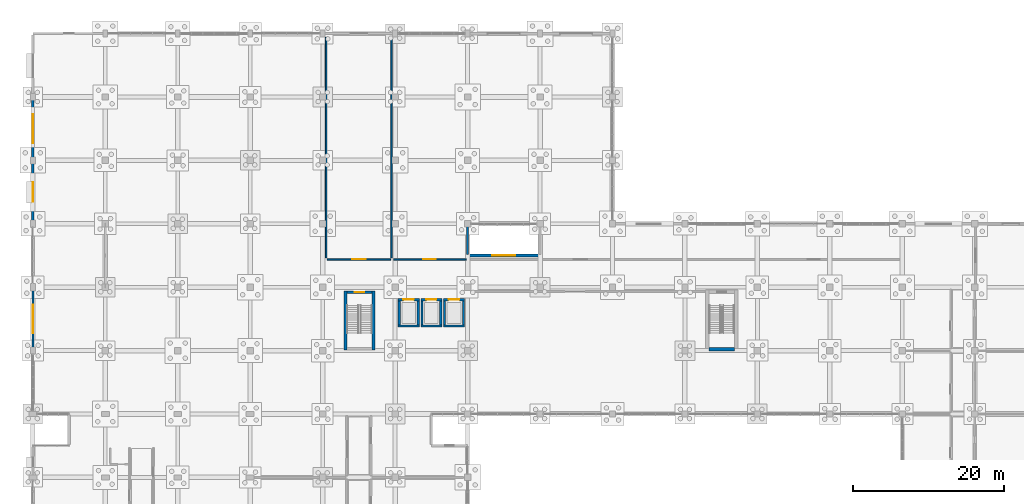
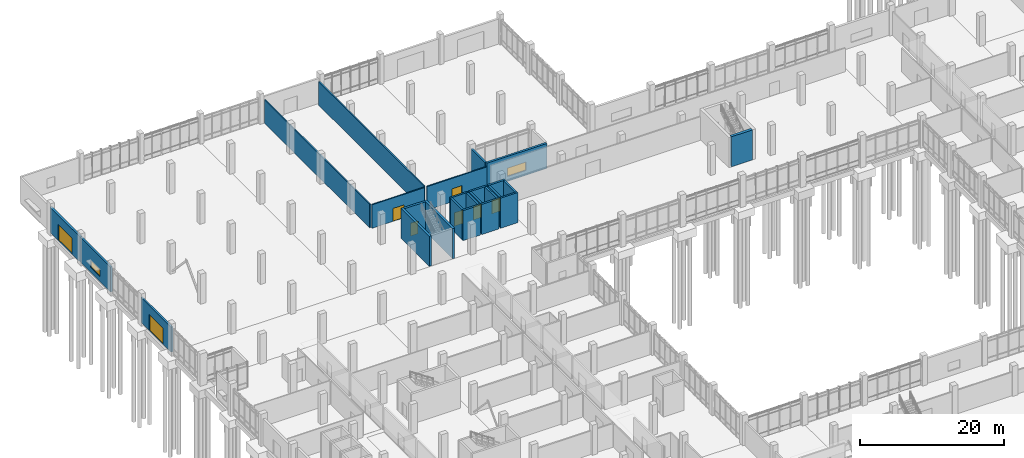
# One storey, part 108 of 136: 25 walls, 8 doors, 2 windows, 10 openings.
"""IFC4 building model written with IfcOpenShell, lengths in metres."""

from ifc_helpers import new_model, si_unit, direction, frame, frame_2d, origin, place, context, subcontext, project, spatial, rectangle, extrude, material, layer, layer_set, type_object, element, fill, save


model = new_model("IFC4")

# Units and contexts
model_context = context("Model", 3, precision=1e-05, world=origin(), true_north=direction((0.0, 1.0)))
body_context = subcontext(model_context, "Body", "Model", "MODEL_VIEW")
ifc_project = project(units=[si_unit("LENGTHUNIT", "METRE"), si_unit("AREAUNIT", "SQUARE_METRE"), si_unit("VOLUMEUNIT", "CUBIC_METRE"), si_unit("PLANEANGLEUNIT", "RADIAN"), si_unit("MASSUNIT", "GRAM", prefix="KILO")], contexts=[model_context])

# Site, building, storey
site_placement = place(None, origin())
site = spatial("IfcSite", under=ifc_project, at=site_placement, CompositionType="ELEMENT")
building_placement = place(site_placement, origin())
building = spatial("IfcBuilding", under=site, at=building_placement, Name="Oolite Switchyard Hospital", CompositionType="ELEMENT")
storey_placement = place(building_placement, origin())
storey = spatial("IfcBuildingStorey", under=building, at=storey_placement, Name="L00", CompositionType="ELEMENT", Elevation=0.0)

# Wall, opening, door
ifc_material_1 = material(Name="Precast oolitic limestone architectural concrete C40/50", Category="masonry")
ifc_layer_1 = layer(ifc_material_1, 0.280029296875)
ifc_layer_set_1 = layer_set([ifc_layer_1], Name="WAL-EXT-280")
wall_type_1 = type_object("IfcWallType", Name="WAL-EXT-280", PredefinedType="SOLIDWALL", material=ifc_layer_set_1)
wall_1_placement = place(storey_placement, frame((0.0, 92.39990234375, 0.0), z_axis=(0.0, 0.0, 1.0), x_axis=(0.0, 1.0, 0.0)))
wall_1 = element("IfcWall", 1, at=wall_1_placement, inside=storey, type_object=wall_type_1, Name="L00 Exterior Spandrel Wall 50", PredefinedType="SOLIDWALL", context=body_context, shape_type="SweptSolid", body=[
    extrude(rectangle(XDim=8.400146484375, YDim=0.280029296875, at=frame_2d((4.2001953125, 0.0))), origin(), (0.0, 0.0, 1.0), 4.239990234375),
])
opening_1_placement = place(wall_1_placement, frame((2.300048828125, 0.0, 0.0)))
opening_1 = element("IfcOpeningElement", 2, at=opening_1_placement, cuts=wall_1, Name="Opening GT-04", PredefinedType="OPENING", context=body_context, shape_type="SweptSolid", body=[
    extrude(rectangle(XDim=3.800048828125, YDim=2.699951171875, at=frame_2d((1.89990234375, 1.35009765625))), frame((0.0, 0.14990234375, 0.0), z_axis=(0.0, -1.0, 0.0), x_axis=(1.0, 0.0, 0.0)), (0.0, 0.0, 1.0), 0.300048828125),
])
ifc_material_2 = material(Name="Galvanized powder-coated structural steel gate assembly", Category="steel")
door_type_1 = type_object("IfcDoorType", Name="GT-PRK-380X270", OperationType="NOTDEFINED", PredefinedType="GATE", material=ifc_material_2)
door_1_placement = place(opening_1_placement, origin())
door_1 = element("IfcDoor", 3, at=door_1_placement, inside=storey, type_object=door_type_1, Name="L00 Exterior GT GT-04", OperationType="DOUBLE_DOOR_SINGLE_SWING", OverallHeight=2.699951171875, OverallWidth=3.800048828125, PredefinedType="GATE", context=body_context, shape_type="SweptSolid", body=[
    extrude(rectangle(XDim=3.800048828125, YDim=2.699951171875, at=frame_2d((1.89990234375, 1.35009765625))), frame((0.0, 0.02490234375, 0.0), z_axis=(0.0, -1.0, 0.0), x_axis=(1.0, 0.0, 0.0)), (0.0, 0.0, 1.0), 0.050048828125),
])
fill(opening_1, door_1)

# Wall
wall_2_placement = place(storey_placement, frame((57.60009765625, 109.0400390625, 0.0), z_axis=(0.0, 0.0, 1.0), x_axis=(0.0, -1.0, 0.0)))
element("IfcWall", 4, at=wall_2_placement, inside=storey, type_object=wall_type_1, Name="L00 Exterior Spandrel Wall 57", PredefinedType="SOLIDWALL", context=body_context, shape_type="SweptSolid", body=[
    extrude(rectangle(XDim=3.880126953125, YDim=0.280029296875, at=frame_2d((1.93994140625, 0.0))), origin(), (0.0, 0.0, 1.0), 4.239990234375),
])

# Wall, opening, window
ifc_layer_2 = layer(ifc_material_1, 0.300048828125)
ifc_layer_set_2 = layer_set([ifc_layer_2], Name="WAL-EXT-300")
wall_type_2 = type_object("IfcWallType", Name="WAL-EXT-300", PredefinedType="SOLIDWALL", material=ifc_layer_set_2)
wall_3_placement = place(storey_placement, frame((0.0, 109.199951171875, 0.0), z_axis=(0.0, 0.0, 1.0), x_axis=(0.0, 1.0, 0.0)))
wall_3 = element("IfcWall", 5, at=wall_3_placement, inside=storey, type_object=wall_type_2, Name="L00 Exterior Spandrel Wall 51", PredefinedType="SOLIDWALL", context=body_context, shape_type="SweptSolid", body=[
    extrude(rectangle(XDim=8.400146484375, YDim=0.300048828125, at=frame_2d((4.2001953125, 0.0))), origin(), (0.0, 0.0, 1.0), 4.239990234375),
])
opening_2_placement = place(wall_3_placement, frame((2.89990234375, 0.0, 0.85009765625)))
opening_2 = element("IfcOpeningElement", 6, at=opening_2_placement, cuts=wall_3, Name="Opening WN-0017", PredefinedType="OPENING", context=body_context, shape_type="SweptSolid", body=[
    extrude(rectangle(XDim=2.60009765625, YDim=1.199951171875, at=frame_2d((1.300048828125, 0.60009765625))), frame((0.0, 0.16015625, 0.0), z_axis=(0.0, -1.0, 0.0), x_axis=(1.0, 0.0, 0.0)), (0.0, 0.0, 1.0), 0.320068359375),
])
ifc_material_3 = material(Name="Thermally broken aluminum frame with laminated impact glazing", Category="aluminium")
window_type_1 = type_object("IfcWindowType", Name="WIN-IMP-260X120", PartitioningType="SINGLE_PANEL", PredefinedType="WINDOW", material=ifc_material_3)
window_1_placement = place(opening_2_placement, origin())
window_1 = element("IfcWindow", 7, at=window_1_placement, inside=storey, type_object=window_type_1, Name="L00 Hurricane Impact Window WN-0017", OverallHeight=1.199951171875, OverallWidth=2.60009765625, PartitioningType="SINGLE_PANEL", PredefinedType="WINDOW", context=body_context, shape_type="SweptSolid", body=[
    extrude(rectangle(XDim=2.60009765625, YDim=1.199951171875, at=frame_2d((1.300048828125, 0.60009765625))), frame((0.0, 0.030029296875, 0.0), z_axis=(0.0, -1.0, 0.0), x_axis=(1.0, 0.0, 0.0)), (0.0, 0.0, 1.0), 0.06005859375),
])
fill(opening_2, window_1)

# Wall, opening, door
ifc_layer_3 = layer(ifc_material_1, 0.320068359375)
ifc_layer_set_3 = layer_set([ifc_layer_3], Name="WAL-EXT-320")
wall_type_3 = type_object("IfcWallType", Name="WAL-EXT-320", PredefinedType="SOLIDWALL", material=ifc_layer_set_3)
wall_4_placement = place(storey_placement, frame((0.0, 117.60009765625, 0.0), z_axis=(0.0, 0.0, 1.0), x_axis=(0.0, 1.0, 0.0)))
wall_4 = element("IfcWall", 8, at=wall_4_placement, inside=storey, type_object=wall_type_3, Name="L00 Exterior Spandrel Wall 52", PredefinedType="SOLIDWALL", context=body_context, shape_type="SweptSolid", body=[
    extrude(rectangle(XDim=8.39990234375, YDim=0.320068359375, at=frame_2d((4.199951171875, 0.0))), origin(), (0.0, 0.0, 1.0), 4.239990234375),
])
opening_3_placement = place(wall_4_placement, frame((2.300048828125, 0.0, 0.0)))
opening_3 = element("IfcOpeningElement", 9, at=opening_3_placement, cuts=wall_4, Name="Opening GT-05", PredefinedType="OPENING", context=body_context, shape_type="SweptSolid", body=[
    extrude(rectangle(XDim=3.800048828125, YDim=2.699951171875, at=frame_2d((1.89990234375, 1.35009765625))), frame((0.0, 0.169921875, 0.0), z_axis=(0.0, -1.0, 0.0), x_axis=(1.0, 0.0, 0.0)), (0.0, 0.0, 1.0), 0.340087890625),
])
door_2_placement = place(opening_3_placement, origin())
door_2 = element("IfcDoor", 10, at=door_2_placement, inside=storey, type_object=door_type_1, Name="L00 Exterior GT GT-05", OperationType="DOUBLE_DOOR_SINGLE_SWING", OverallHeight=2.699951171875, OverallWidth=3.800048828125, PredefinedType="GATE", context=body_context, shape_type="SweptSolid", body=[
    extrude(rectangle(XDim=3.800048828125, YDim=2.699951171875, at=frame_2d((1.89990234375, 1.35009765625))), frame((0.0, 0.02490234375, 0.0), z_axis=(0.0, -1.0, 0.0), x_axis=(1.0, 0.0, 0.0)), (0.0, 0.0, 1.0), 0.050048828125),
])
fill(opening_3, door_2)

# Wall, opening, window
ifc_layer_4 = layer(ifc_material_1, 0.340087890625)
ifc_layer_set_4 = layer_set([ifc_layer_4], Name="WAL-EXT-340")
wall_type_4 = type_object("IfcWallType", Name="WAL-EXT-340", PredefinedType="SOLIDWALL", material=ifc_layer_set_4)
wall_5_placement = place(storey_placement, frame((57.60009765625, 105.0, 0.0), z_axis=(0.0, 0.0, 1.0), x_axis=(1.0, 0.0, 0.0)))
wall_5 = element("IfcWall", 11, at=wall_5_placement, inside=storey, type_object=wall_type_4, Name="L00 Exterior Spandrel Wall 25", PredefinedType="SOLIDWALL", context=body_context, shape_type="SweptSolid", body=[
    extrude(rectangle(XDim=9.599853515625, YDim=0.340087890625, at=frame_2d((4.7998046875, 0.0))), origin(), (0.0, 0.0, 1.0), 4.239990234375),
])
opening_4_placement = place(wall_5_placement, frame((3.300048828125, 0.0, 0.85009765625)))
opening_4 = element("IfcOpeningElement", 12, at=opening_4_placement, cuts=wall_5, Name="Opening WN-0010", PredefinedType="OPENING", context=body_context, shape_type="SweptSolid", body=[
    extrude(rectangle(XDim=3.0, YDim=1.39990234375, at=frame_2d((1.5, 0.699951171875))), frame((0.0, 0.18017578125, 0.0), z_axis=(0.0, -1.0, 0.0), x_axis=(1.0, 0.0, 0.0)), (0.0, 0.0, 1.0), 0.360107421875),
])
window_type_2 = type_object("IfcWindowType", Name="WIN-IMP-300X140", PartitioningType="SINGLE_PANEL", PredefinedType="WINDOW", material=ifc_material_3)
window_2_placement = place(opening_4_placement, origin())
window_2 = element("IfcWindow", 13, at=window_2_placement, inside=storey, type_object=window_type_2, Name="L00 Hurricane Impact Window WN-0010", OverallHeight=1.39990234375, OverallWidth=3.0, PartitioningType="SINGLE_PANEL", PredefinedType="WINDOW", context=body_context, shape_type="SweptSolid", body=[
    extrude(rectangle(XDim=3.0, YDim=1.39990234375, at=frame_2d((1.5, 0.699951171875))), frame((0.0, 0.030029296875, 0.0), z_axis=(0.0, -1.0, 0.0), x_axis=(1.0, 0.0, 0.0)), (0.0, 0.0, 1.0), 0.06005859375),
])
fill(opening_4, window_2)

# Walls
ifc_material_4 = material(Name="Concrete C50/60", Category="concrete")
ifc_layer_5 = layer(ifc_material_4, 0.300048828125)
ifc_layer_set_5 = layer_set([ifc_layer_5], Name="WAL-SHR-300")
wall_type_5 = type_object("IfcWallType", Name="WAL-SHR-300", PredefinedType="SHEAR", material=ifc_layer_set_5)
wall_6_placement = place(storey_placement, frame((48.39990234375, 95.64990234375, 0.0), z_axis=(0.0, 0.0, 1.0), x_axis=(1.0, 0.0, 0.0)))
element("IfcWall", 14, at=wall_6_placement, inside=storey, type_object=wall_type_5, Name="L00 Lift Shaft Shear Wall EL-08", PredefinedType="SHEAR", context=body_context, shape_type="SweptSolid", body=[
    extrude(rectangle(XDim=2.800048828125, YDim=0.300048828125, at=frame_2d((1.39990234375, 0.0))), origin(), (0.0, 0.0, 1.0), 5.10009765625),
])
wall_7_placement = place(storey_placement, frame((51.050048828125, 95.800048828125, 0.0), z_axis=(0.0, 0.0, 1.0), x_axis=(0.0, 1.0, 0.0)))
element("IfcWall", 15, at=wall_7_placement, inside=storey, type_object=wall_type_5, Name="L00 Lift Shaft Shear Wall EL-08", PredefinedType="SHEAR", context=body_context, shape_type="SweptSolid", body=[
    extrude(rectangle(XDim=3.199951171875, YDim=0.300048828125, at=frame_2d((1.60009765625, 0.0))), origin(), (0.0, 0.0, 1.0), 5.10009765625),
])

# Wall, opening, door
wall_8_placement = place(storey_placement, frame((51.199951171875, 99.14990234375, 0.0), z_axis=(0.0, 0.0, 1.0), x_axis=(-1.0, 0.0, 0.0)))
wall_8 = element("IfcWall", 16, at=wall_8_placement, inside=storey, type_object=wall_type_5, Name="L00 Lift Shaft Shear Wall EL-08", PredefinedType="SHEAR", context=body_context, shape_type="SweptSolid", body=[
    extrude(rectangle(XDim=2.800048828125, YDim=0.300048828125, at=frame_2d((1.39990234375, 0.0))), origin(), (0.0, 0.0, 1.0), 5.10009765625),
])
opening_5_placement = place(wall_8_placement, frame((0.699951171875, 0.0, 0.0)))
opening_5 = element("IfcOpeningElement", 17, at=opening_5_placement, cuts=wall_8, Name="Opening LD-056", PredefinedType="OPENING", context=body_context, shape_type="SweptSolid", body=[
    extrude(rectangle(XDim=1.39990234375, YDim=2.300048828125, at=frame_2d((0.699951171875, 1.14990234375))), frame((0.0, 0.16015625, 0.0), z_axis=(0.0, -1.0, 0.0), x_axis=(1.0, 0.0, 0.0)), (0.0, 0.0, 1.0), 0.320068359375),
])
ifc_material_5 = material(Name="Brushed stainless steel fire-rated sliding landing door", Category="steel")
door_type_2 = type_object("IfcDoorType", Name="DR-LD-140X230", OperationType="NOTDEFINED", PredefinedType="DOOR", material=ifc_material_5)
door_3_placement = place(opening_5_placement, origin())
door_3 = element("IfcDoor", 18, at=door_3_placement, inside=storey, type_object=door_type_2, Name="L00 EL-08 Lift Landing Door LD-056", OperationType="SLIDING_TO_RIGHT", OverallHeight=2.300048828125, OverallWidth=1.39990234375, PredefinedType="DOOR", context=body_context, shape_type="SweptSolid", body=[
    extrude(rectangle(XDim=1.39990234375, YDim=2.300048828125, at=frame_2d((0.699951171875, 1.14990234375))), frame((0.0, 0.02490234375, 0.0), z_axis=(0.0, -1.0, 0.0), x_axis=(1.0, 0.0, 0.0)), (0.0, 0.0, 1.0), 0.050048828125),
])
fill(opening_5, door_3)

# Walls
wall_9_placement = place(storey_placement, frame((48.550048828125, 99.0, 0.0), z_axis=(0.0, 0.0, 1.0), x_axis=(0.0, -1.0, 0.0)))
element("IfcWall", 19, at=wall_9_placement, inside=storey, type_object=wall_type_5, Name="L00 Lift Shaft Shear Wall EL-08", PredefinedType="SHEAR", context=body_context, shape_type="SweptSolid", body=[
    extrude(rectangle(XDim=3.199951171875, YDim=0.300048828125, at=frame_2d((1.60009765625, 0.0))), origin(), (0.0, 0.0, 1.0), 5.10009765625),
])
wall_10_placement = place(storey_placement, frame((51.39990234375, 95.64990234375, 0.0), z_axis=(0.0, 0.0, 1.0), x_axis=(1.0, 0.0, 0.0)))
element("IfcWall", 20, at=wall_10_placement, inside=storey, type_object=wall_type_5, Name="L00 Lift Shaft Shear Wall EL-09", PredefinedType="SHEAR", context=body_context, shape_type="SweptSolid", body=[
    extrude(rectangle(XDim=2.800048828125, YDim=0.300048828125, at=frame_2d((1.39990234375, 0.0))), origin(), (0.0, 0.0, 1.0), 5.10009765625),
])
wall_11_placement = place(storey_placement, frame((54.050048828125, 95.800048828125, 0.0), z_axis=(0.0, 0.0, 1.0), x_axis=(0.0, 1.0, 0.0)))
element("IfcWall", 21, at=wall_11_placement, inside=storey, type_object=wall_type_5, Name="L00 Lift Shaft Shear Wall EL-09", PredefinedType="SHEAR", context=body_context, shape_type="SweptSolid", body=[
    extrude(rectangle(XDim=3.199951171875, YDim=0.300048828125, at=frame_2d((1.60009765625, 0.0))), origin(), (0.0, 0.0, 1.0), 5.10009765625),
])

# Wall, opening, door
wall_12_placement = place(storey_placement, frame((54.199951171875, 99.14990234375, 0.0), z_axis=(0.0, 0.0, 1.0), x_axis=(-1.0, 0.0, 0.0)))
wall_12 = element("IfcWall", 22, at=wall_12_placement, inside=storey, type_object=wall_type_5, Name="L00 Lift Shaft Shear Wall EL-09", PredefinedType="SHEAR", context=body_context, shape_type="SweptSolid", body=[
    extrude(rectangle(XDim=2.800048828125, YDim=0.300048828125, at=frame_2d((1.39990234375, 0.0))), origin(), (0.0, 0.0, 1.0), 5.10009765625),
])
opening_6_placement = place(wall_12_placement, frame((0.75, 0.0, 0.0)))
opening_6 = element("IfcOpeningElement", 23, at=opening_6_placement, cuts=wall_12, Name="Opening LD-060", PredefinedType="OPENING", context=body_context, shape_type="SweptSolid", body=[
    extrude(rectangle(XDim=1.300048828125, YDim=2.300048828125, at=frame_2d((0.64990234375, 1.14990234375))), frame((0.0, 0.16015625, 0.0), z_axis=(0.0, -1.0, 0.0), x_axis=(1.0, 0.0, 0.0)), (0.0, 0.0, 1.0), 0.320068359375),
])
door_type_3 = type_object("IfcDoorType", Name="DR-LD-130X230", OperationType="NOTDEFINED", PredefinedType="DOOR", material=ifc_material_5)
door_4_placement = place(opening_6_placement, origin())
door_4 = element("IfcDoor", 24, at=door_4_placement, inside=storey, type_object=door_type_3, Name="L00 EL-09 Lift Landing Door LD-060", OperationType="SLIDING_TO_RIGHT", OverallHeight=2.300048828125, OverallWidth=1.300048828125, PredefinedType="DOOR", context=body_context, shape_type="SweptSolid", body=[
    extrude(rectangle(XDim=1.300048828125, YDim=2.300048828125, at=frame_2d((0.64990234375, 1.14990234375))), frame((0.0, 0.02490234375, 0.0), z_axis=(0.0, -1.0, 0.0), x_axis=(1.0, 0.0, 0.0)), (0.0, 0.0, 1.0), 0.050048828125),
])
fill(opening_6, door_4)

# Walls
wall_13_placement = place(storey_placement, frame((51.550048828125, 99.0, 0.0), z_axis=(0.0, 0.0, 1.0), x_axis=(0.0, -1.0, 0.0)))
element("IfcWall", 25, at=wall_13_placement, inside=storey, type_object=wall_type_5, Name="L00 Lift Shaft Shear Wall EL-09", PredefinedType="SHEAR", context=body_context, shape_type="SweptSolid", body=[
    extrude(rectangle(XDim=3.199951171875, YDim=0.300048828125, at=frame_2d((1.60009765625, 0.0))), origin(), (0.0, 0.0, 1.0), 5.10009765625),
])
wall_14_placement = place(storey_placement, frame((54.39990234375, 95.64990234375, 0.0), z_axis=(0.0, 0.0, 1.0), x_axis=(1.0, 0.0, 0.0)))
element("IfcWall", 26, at=wall_14_placement, inside=storey, type_object=wall_type_5, Name="L00 Lift Shaft Shear Wall EL-10", PredefinedType="SHEAR", context=body_context, shape_type="SweptSolid", body=[
    extrude(rectangle(XDim=2.800048828125, YDim=0.300048828125, at=frame_2d((1.39990234375, 0.0))), origin(), (0.0, 0.0, 1.0), 5.10009765625),
])
wall_15_placement = place(storey_placement, frame((57.050048828125, 95.800048828125, 0.0), z_axis=(0.0, 0.0, 1.0), x_axis=(0.0, 1.0, 0.0)))
element("IfcWall", 27, at=wall_15_placement, inside=storey, type_object=wall_type_5, Name="L00 Lift Shaft Shear Wall EL-10", PredefinedType="SHEAR", context=body_context, shape_type="SweptSolid", body=[
    extrude(rectangle(XDim=3.199951171875, YDim=0.300048828125, at=frame_2d((1.60009765625, 0.0))), origin(), (0.0, 0.0, 1.0), 5.10009765625),
])

# Wall, opening, door
wall_16_placement = place(storey_placement, frame((57.199951171875, 99.14990234375, 0.0), z_axis=(0.0, 0.0, 1.0), x_axis=(-1.0, 0.0, 0.0)))
wall_16 = element("IfcWall", 28, at=wall_16_placement, inside=storey, type_object=wall_type_5, Name="L00 Lift Shaft Shear Wall EL-10", PredefinedType="SHEAR", context=body_context, shape_type="SweptSolid", body=[
    extrude(rectangle(XDim=2.800048828125, YDim=0.300048828125, at=frame_2d((1.39990234375, 0.0))), origin(), (0.0, 0.0, 1.0), 5.10009765625),
])
opening_7_placement = place(wall_16_placement, frame((0.699951171875, 0.0, 0.0)))
opening_7 = element("IfcOpeningElement", 29, at=opening_7_placement, cuts=wall_16, Name="Opening LD-064", PredefinedType="OPENING", context=body_context, shape_type="SweptSolid", body=[
    extrude(rectangle(XDim=1.39990234375, YDim=2.300048828125, at=frame_2d((0.699951171875, 1.14990234375))), frame((0.0, 0.16015625, 0.0), z_axis=(0.0, -1.0, 0.0), x_axis=(1.0, 0.0, 0.0)), (0.0, 0.0, 1.0), 0.320068359375),
])
door_5_placement = place(opening_7_placement, origin())
door_5 = element("IfcDoor", 30, at=door_5_placement, inside=storey, type_object=door_type_2, Name="L00 EL-10 Lift Landing Door LD-064", OperationType="SLIDING_TO_RIGHT", OverallHeight=2.300048828125, OverallWidth=1.39990234375, PredefinedType="DOOR", context=body_context, shape_type="SweptSolid", body=[
    extrude(rectangle(XDim=1.39990234375, YDim=2.300048828125, at=frame_2d((0.699951171875, 1.14990234375))), frame((0.0, 0.02490234375, 0.0), z_axis=(0.0, -1.0, 0.0), x_axis=(1.0, 0.0, 0.0)), (0.0, 0.0, 1.0), 0.050048828125),
])
fill(opening_7, door_5)

# Walls
wall_17_placement = place(storey_placement, frame((54.550048828125, 99.0, 0.0), z_axis=(0.0, 0.0, 1.0), x_axis=(0.0, -1.0, 0.0)))
element("IfcWall", 31, at=wall_17_placement, inside=storey, type_object=wall_type_5, Name="L00 Lift Shaft Shear Wall EL-10", PredefinedType="SHEAR", context=body_context, shape_type="SweptSolid", body=[
    extrude(rectangle(XDim=3.199951171875, YDim=0.300048828125, at=frame_2d((1.60009765625, 0.0))), origin(), (0.0, 0.0, 1.0), 5.10009765625),
])
ifc_layer_6 = layer(ifc_material_4, 0.35009765625)
ifc_layer_set_6 = layer_set([ifc_layer_6], Name="WAL-SHR-350")
wall_type_6 = type_object("IfcWallType", Name="WAL-SHR-350", PredefinedType="SHEAR", material=ifc_layer_set_6)
for number, where, z_axis, x_axis, name in (
    (32, (41.425048828125, 100.300048828125, 0.0), (0.0, 0.0, 1.0), (0.0, -1.0, 0.0), "L00 Core Shear Wall ST-07"),
    (33, (45.135009765625, 92.449951171875, 0.0), (0.0, 0.0, 1.0), (0.0, 1.0, 0.0), "L00 Core Shear Wall ST-07"),
):
    element("IfcWall", number, at=place(storey_placement, frame(where, z_axis=z_axis, x_axis=x_axis)), inside=storey, type_object=wall_type_6, Name=name, PredefinedType="SHEAR", context=body_context, shape_type="SweptSolid", body=[
        extrude(rectangle(XDim=7.85009765625, YDim=0.35009765625, at=frame_2d((3.925048828125, 0.0))), origin(), (0.0, 0.0, 1.0), 5.10009765625),
    ])

# Wall, opening, door
wall_18_placement = place(storey_placement, frame((44.9599609375, 100.125, 0.0), z_axis=(0.0, 0.0, 1.0), x_axis=(-1.0, 0.0, 0.0)))
wall_18 = element("IfcWall", 34, at=wall_18_placement, inside=storey, type_object=wall_type_6, Name="L00 Core Shear Wall ST-07", PredefinedType="SHEAR", context=body_context, shape_type="SweptSolid", body=[
    extrude(rectangle(XDim=3.35986328125, YDim=0.35009765625, at=frame_2d((1.679931640625, 0.0))), origin(), (0.0, 0.0, 1.0), 5.10009765625),
])
opening_8_placement = place(wall_18_placement, frame((1.080078125, 0.0, 0.0)))
opening_8 = element("IfcOpeningElement", 35, at=opening_8_placement, cuts=wall_18, Name="Opening SD-043", PredefinedType="OPENING", context=body_context, shape_type="SweptSolid", body=[
    extrude(rectangle(XDim=1.199951171875, YDim=2.199951171875, at=frame_2d((0.60009765625, 1.10009765625))), frame((0.0, 0.18505859375, 0.0), z_axis=(0.0, -1.0, 0.0), x_axis=(1.0, 0.0, 0.0)), (0.0, 0.0, 1.0), 0.3701171875),
])
ifc_material_6 = material(Name="Hollow metal fire-rated steel door assembly", Category="steel")
door_type_4 = type_object("IfcDoorType", Name="DR-STR-120X220", OperationType="NOTDEFINED", PredefinedType="DOOR", material=ifc_material_6)
door_6_placement = place(opening_8_placement, origin())
door_6 = element("IfcDoor", 36, at=door_6_placement, inside=storey, type_object=door_type_4, Name="L00 ST-07 Exit Stair Door SD-043", OperationType="SINGLE_SWING_LEFT", OverallHeight=2.199951171875, OverallWidth=1.199951171875, PredefinedType="DOOR", context=body_context, shape_type="SweptSolid", body=[
    extrude(rectangle(XDim=1.199951171875, YDim=2.199951171875, at=frame_2d((0.60009765625, 1.10009765625))), frame((0.0, 0.02490234375, 0.0), z_axis=(0.0, -1.0, 0.0), x_axis=(1.0, 0.0, 0.0)), (0.0, 0.0, 1.0), 0.050048828125),
])
fill(opening_8, door_6)

# Wall
ifc_layer_7 = layer(ifc_material_4, 0.449951171875)
ifc_layer_set_7 = layer_set([ifc_layer_7], Name="WAL-SHR-450")
wall_type_7 = type_object("IfcWallType", Name="WAL-SHR-450", PredefinedType="SHEAR", material=ifc_layer_set_7)
wall_19_placement = place(storey_placement, frame((89.60009765625, 92.574951171875, 0.0), z_axis=(0.0, 0.0, 1.0), x_axis=(1.0, 0.0, 0.0)))
element("IfcWall", 37, at=wall_19_placement, inside=storey, type_object=wall_type_7, Name="L00 Core Shear Wall ST-09", PredefinedType="SHEAR", context=body_context, shape_type="SweptSolid", body=[
    extrude(rectangle(XDim=3.35986328125, YDim=0.449951171875, at=frame_2d((1.679931640625, 0.0))), origin(), (0.0, 0.0, 1.0), 5.10009765625),
])

# Wall, opening, door
ifc_material_7 = material(Name="Moisture-resistant gypsum board on steel studs", Category="steel")
ifc_layer_8 = layer(ifc_material_7, 0.199951171875)
ifc_layer_set_8 = layer_set([ifc_layer_8], Name="WAL-SMK-200")
wall_type_8 = type_object("IfcWallType", Name="WAL-SMK-200", PredefinedType="PARTITIONING", material=ifc_layer_set_8)
wall_20_placement = place(storey_placement, frame((47.800048828125, 104.5, 0.0), z_axis=(0.0, 0.0, 1.0), x_axis=(1.0, 0.0, 0.0)))
wall_20 = element("IfcWall", 38, at=wall_20_placement, inside=storey, type_object=wall_type_8, Name="L00 Interior Partition 80", PredefinedType="PARTITIONING", context=body_context, shape_type="SweptSolid", body=[
    extrude(rectangle(XDim=9.599853515625, YDim=0.199951171875, at=frame_2d((4.7998046875, 0.0))), origin(), (0.0, 0.0, 1.0), 3.97998046875),
])
opening_9_placement = place(wall_20_placement, frame((3.949951171875, 0.0, 0.0)))
opening_9 = element("IfcOpeningElement", 39, at=opening_9_placement, cuts=wall_20, Name="Opening D-0048", PredefinedType="OPENING", context=body_context, shape_type="SweptSolid", body=[
    extrude(rectangle(XDim=1.60009765625, YDim=2.199951171875, at=frame_2d((0.800048828125, 1.10009765625))), frame((0.0, 0.10986328125, 0.0), z_axis=(0.0, -1.0, 0.0), x_axis=(1.0, 0.0, 0.0)), (0.0, 0.0, 1.0), 0.219970703125),
])
door_type_5 = type_object("IfcDoorType", Name="DR-DBL-160X220", OperationType="NOTDEFINED", PredefinedType="DOOR", material=ifc_material_6)
door_7_placement = place(opening_9_placement, origin())
door_7 = element("IfcDoor", 40, at=door_7_placement, inside=storey, type_object=door_type_5, Name="L00 Interior Door D-0048", OperationType="DOUBLE_DOOR_SINGLE_SWING", OverallHeight=2.199951171875, OverallWidth=1.60009765625, PredefinedType="DOOR", context=body_context, shape_type="SweptSolid", body=[
    extrude(rectangle(XDim=1.60009765625, YDim=2.199951171875, at=frame_2d((0.800048828125, 1.10009765625))), frame((0.0, 0.02490234375, 0.0), z_axis=(0.0, -1.0, 0.0), x_axis=(1.0, 0.0, 0.0)), (0.0, 0.0, 1.0), 0.050048828125),
])
fill(opening_9, door_7)

wall_21_placement = place(storey_placement, frame((39.0, 104.5, 0.0), z_axis=(0.0, 0.0, 1.0), x_axis=(1.0, 0.0, 0.0)))
wall_21 = element("IfcWall", 41, at=wall_21_placement, inside=storey, type_object=wall_type_8, Name="L00 Interior Partition 81", PredefinedType="PARTITIONING", context=body_context, shape_type="SweptSolid", body=[
    extrude(rectangle(XDim=8.39990234375, YDim=0.199951171875, at=frame_2d((4.199951171875, 0.0))), origin(), (0.0, 0.0, 1.0), 3.97998046875),
])
opening_10_placement = place(wall_21_placement, frame((3.300048828125, 0.0, 0.0)))
opening_10 = element("IfcOpeningElement", 42, at=opening_10_placement, cuts=wall_21, Name="Opening D-0049", PredefinedType="OPENING", context=body_context, shape_type="SweptSolid", body=[
    extrude(rectangle(XDim=1.800048828125, YDim=2.199951171875, at=frame_2d((0.89990234375, 1.10009765625))), frame((0.0, 0.10986328125, 0.0), z_axis=(0.0, -1.0, 0.0), x_axis=(1.0, 0.0, 0.0)), (0.0, 0.0, 1.0), 0.219970703125),
])
door_type_6 = type_object("IfcDoorType", Name="DR-DBL-180X220", OperationType="NOTDEFINED", PredefinedType="DOOR", material=ifc_material_6)
door_8_placement = place(opening_10_placement, origin())
door_8 = element("IfcDoor", 43, at=door_8_placement, inside=storey, type_object=door_type_6, Name="L00 Interior Door D-0049", OperationType="DOUBLE_DOOR_SINGLE_SWING", OverallHeight=2.199951171875, OverallWidth=1.800048828125, PredefinedType="DOOR", context=body_context, shape_type="SweptSolid", body=[
    extrude(rectangle(XDim=1.800048828125, YDim=2.199951171875, at=frame_2d((0.89990234375, 1.10009765625))), frame((0.0, 0.02490234375, 0.0), z_axis=(0.0, -1.0, 0.0), x_axis=(1.0, 0.0, 0.0)), (0.0, 0.0, 1.0), 0.050048828125),
])
fill(opening_10, door_8)

# Walls
for number, where, z_axis, x_axis, name in (
    (44, (38.85009765625, 104.699951171875, 0.0), (0.0, 0.0, 1.0), (0.0, 1.0, 0.0), "L00 Interior Partition 82"),
    (45, (47.550048828125, 104.699951171875, 0.0), (0.0, 0.0, 1.0), (0.0, 1.0, 0.0), "L00 Interior Partition 83"),
):
    element("IfcWall", number, at=place(storey_placement, frame(where, z_axis=z_axis, x_axis=x_axis)), inside=storey, type_object=wall_type_8, Name=name, PredefinedType="PARTITIONING", context=body_context, shape_type="SweptSolid", body=[
        extrude(rectangle(XDim=29.199951171875, YDim=0.199951171875, at=frame_2d((14.60009765625, 0.0))), origin(), (0.0, 0.0, 1.0), 3.97998046875),
    ])

save(model, "model.ifc")
